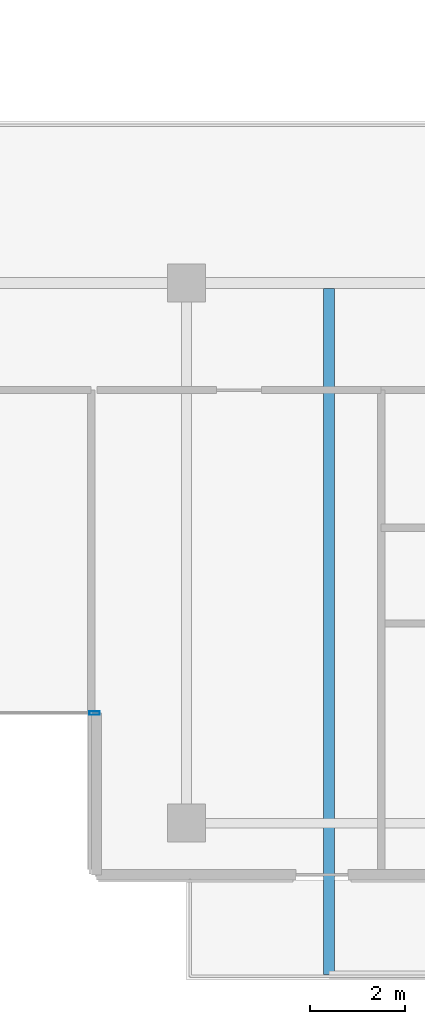
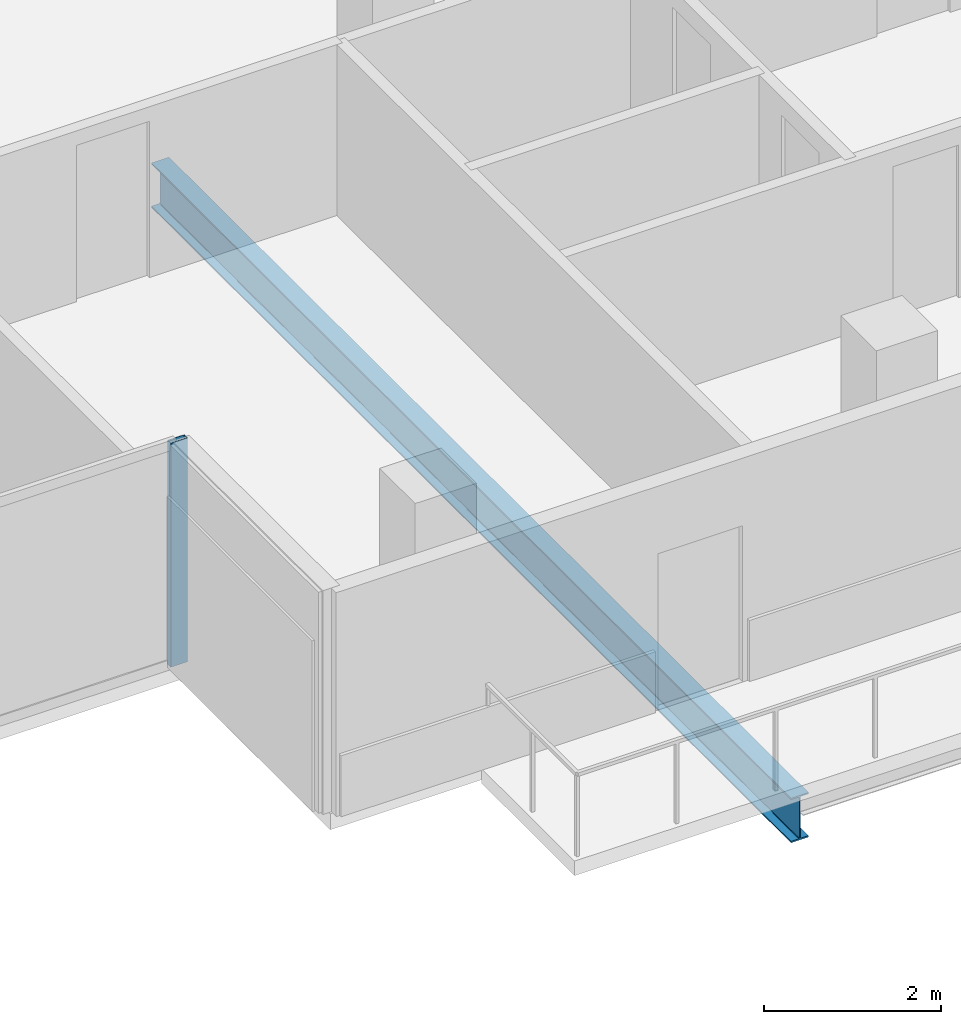
# One storey, part 6 of 28: 1 beam, 1 member, 1 element without a shape of its own.
"""IFC4 building model written with IfcOpenShell, lengths in metres."""

from ifc_helpers import new_model, si_unit, direction, frame, origin, origin_2d, place, context, subcontext, project, spatial, hollow_rectangle, i_section, extrude, material, layer, layer_set, material_profile, profile_set, type_object, element, aggregate, save


model = new_model("IFC4")

# Units and contexts
model_context = context("Model", 3, precision=1e-05, world=origin(), true_north=direction((0.0, 1.0)))
body_context = subcontext(model_context, "Body", "Model", "MODEL_VIEW")
ifc_project = project(units=[si_unit("LENGTHUNIT", "METRE"), si_unit("AREAUNIT", "SQUARE_METRE"), si_unit("VOLUMEUNIT", "CUBIC_METRE"), si_unit("PLANEANGLEUNIT", "RADIAN"), si_unit("MASSUNIT", "GRAM", prefix="KILO")], contexts=[model_context])

# Site, building, storey
site_placement = place(None, origin())
site = spatial("IfcSite", under=ifc_project, at=site_placement, CompositionType="ELEMENT")
building_placement = place(site_placement, origin())
building = spatial("IfcBuilding", under=site, at=building_placement, Name="Tanjung Sevakor Pilgrim Tower", CompositionType="ELEMENT")
storey_placement = place(building_placement, frame((0.0, 0.0, 185.1298828125)))
storey = spatial("IfcBuildingStorey", under=building, at=storey_placement, Name="L51", CompositionType="ELEMENT", Elevation=185.1298828125)

# Beam
ifc_material_1 = material(Name="Steel S355J2", Category="steel")
ifc_material_profile_1 = material_profile(ifc_material_1, i_section(OverallWidth=0.22900390625, OverallDepth=0.6123046875, WebThickness=0.011962890625, FlangeThickness=0.01953125, FilletRadius=0.0126953125, at=origin_2d()))
ifc_profile_set_1 = profile_set([ifc_material_profile_1], Name="Steel S355J2")
beam_type = type_object("IfcBeamType", Name="BM-B-G4-UB_610x229x125", PredefinedType="BEAM", material=ifc_profile_set_1)
beam_placement = place(storey_placement, frame((57.0, 24.485595703125, -0.52587890625), z_axis=(0.0, -1.0, 0.0), x_axis=(1.0, 0.0, 0.0)))
element("IfcBeam", 1, at=beam_placement, inside=storey, type_object=beam_type, Name="L51 Balcony Cantilever Beam MAIN-S2-1", PredefinedType="BEAM", context=body_context, shape_type="SweptSolid", body=[
    extrude(i_section(OverallWidth=0.22900390625, OverallDepth=0.6123046875, WebThickness=0.011962890625, FlangeThickness=0.01953125, FilletRadius=0.0126953125, at=origin_2d()), origin(), (0.0, 0.0, 1.0), 14.41552734375),
])

# Curtain wall, member
ifc_material_2 = material(Name="Aluminium 6063-T6 and Low-E Glass", Category="aluminium")
ifc_layer = layer(ifc_material_2, 0.179931640625)
ifc_layer_set = layer_set([ifc_layer], Name="CW-SYS-CLEFT")
curtain_wall_type = type_object("IfcCurtainWallType", Name="CW-SYS-CLEFT", PredefinedType="NOTDEFINED", material=ifc_layer_set)
curtain_wall_placement = place(storey_placement, origin())
curtain_wall = element("IfcCurtainWall", 2, at=curtain_wall_placement, inside=storey, type_object=curtain_wall_type, Name="L51 Curtain Wall CW-CLF-L51-2", PredefinedType="NOTDEFINED")
ifc_material_3 = material(Name="Aluminium 6063-T6", Category="aluminium")
ifc_material_profile_2 = material_profile(ifc_material_3, hollow_rectangle(XDim=0.074951171875, YDim=0.219970703125, WallThickness=0.0048828125, at=origin_2d()))
ifc_profile_set_2 = profile_set([ifc_material_profile_2], Name="Aluminium 6063-T6")
member_type = type_object("IfcMemberType", Name="TYPE-CWM-2", PredefinedType="MULLION", material=ifc_profile_set_2)
member_placement = place(storey_placement, frame((52.072509765625, 15.56005859375, 0.0), z_axis=(0.0, 0.0, 1.0), x_axis=(0.0, 1.0, 0.0)))
member = element("IfcMember", 3, at=member_placement, type_object=member_type, Name="CW-CLF mullion 2", PredefinedType="MULLION", context=body_context, shape_type="SweptSolid", body=[
    extrude(hollow_rectangle(XDim=0.074951171875, YDim=0.219970703125, WallThickness=0.0048828125, at=origin_2d()), origin(), (0.0, 0.0, 1.0), 3.080078125),
])
aggregate(curtain_wall, [member])

save(model, "model.ifc")
